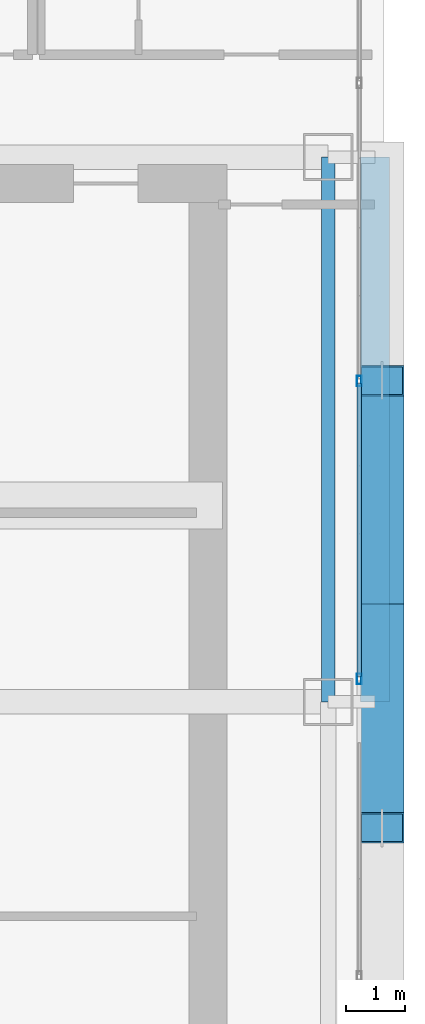
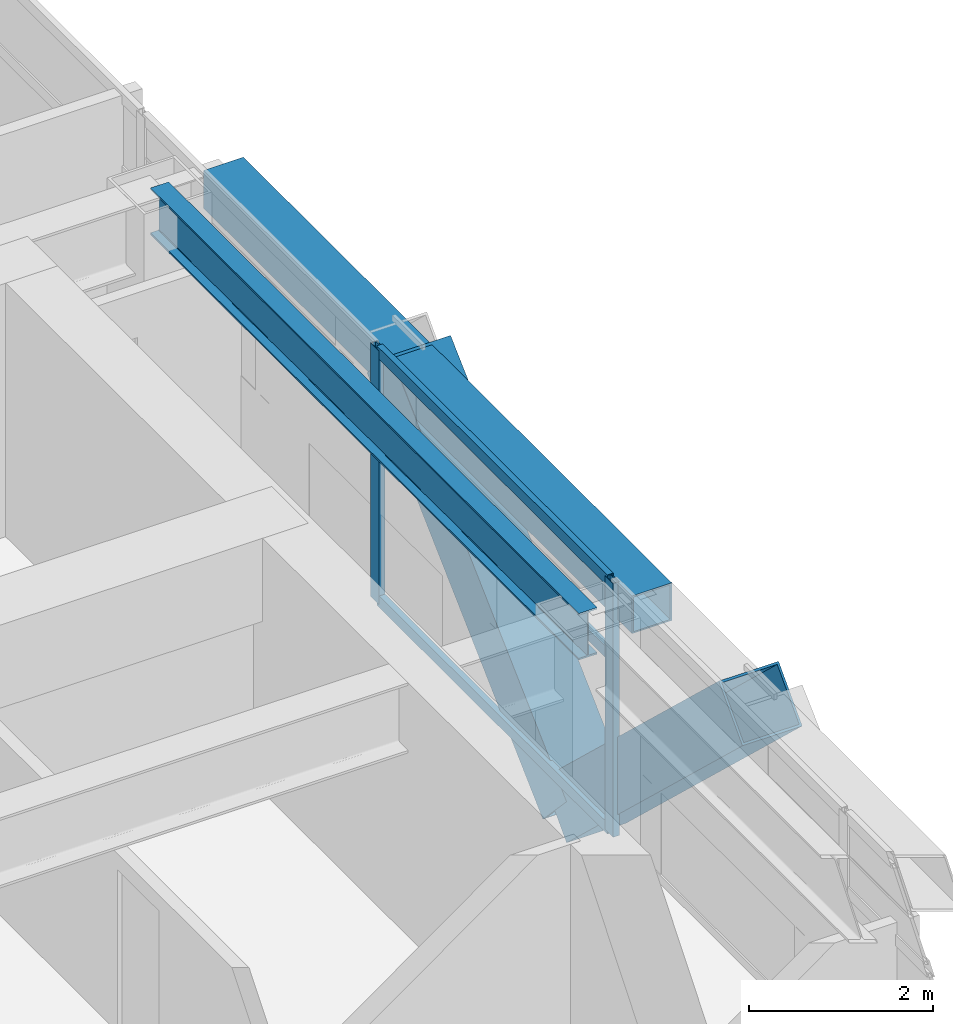
# One storey, part 18 of 39: 7 members, 2 beams, 1 element without a shape of its own.
"""IFC4 building model written with IfcOpenShell, lengths in metres."""

from ifc_helpers import new_model, si_unit, direction, frame, origin, origin_2d, place, context, subcontext, project, spatial, hollow_rectangle, i_section, extrude, source, transform, mapped, material, layer, layer_set, material_profile, profile_set, type_object, element, aggregate, save


model = new_model("IFC4")

# Units and contexts
model_context = context("Model", 3, precision=1e-05, world=origin(), true_north=direction((0.0, 1.0)))
body_context = subcontext(model_context, "Body", "Model", "MODEL_VIEW")
ifc_project = project(units=[si_unit("LENGTHUNIT", "METRE"), si_unit("AREAUNIT", "SQUARE_METRE"), si_unit("VOLUMEUNIT", "CUBIC_METRE"), si_unit("PLANEANGLEUNIT", "RADIAN"), si_unit("MASSUNIT", "GRAM", prefix="KILO")], contexts=[model_context])

# Site, building, storey
site_placement = place(None, origin())
site = spatial("IfcSite", under=ifc_project, at=site_placement, CompositionType="ELEMENT")
building_placement = place(site_placement, origin())
building = spatial("IfcBuilding", under=site, at=building_placement, Name="Ocotamira Hotel", CompositionType="ELEMENT")
storey_placement = place(building_placement, frame((0.0, 0.0, 104.39990234375)))
storey = spatial("IfcBuildingStorey", under=building, at=storey_placement, Name="L25", CompositionType="ELEMENT", Elevation=104.39990234375)

# Beams
ifc_material_1 = material(Name="Steel ASTM A992 Grade 50", Category="steel")
ifc_material_profile_1 = material_profile(ifc_material_1, i_section(OverallWidth=0.22998046875, OverallDepth=0.616943359375, WebThickness=0.01318359375, FlangeThickness=0.022216796875, FilletRadius=0.012939453125, at=origin_2d()), Name="W24X94")
ifc_profile_set_1 = profile_set([ifc_material_profile_1], Name="Steel ASTM A992 Grade 50")
beam_type_1 = type_object("IfcBeamType", Name="BM-PRIM-W24X94", PredefinedType="BEAM", material=ifc_profile_set_1)
shared_shape_1 = source(origin(), body_context, "Body", "SweptSolid", [
    extrude(i_section(OverallWidth=0.22998046875, OverallDepth=0.616943359375, WebThickness=0.01318359375, FlangeThickness=0.022216796875, FilletRadius=0.012939453125, at=origin_2d()), origin(), (0.0, 0.0, 1.0), 9.300048828125),
])
beam_1_placement = place(storey_placement, frame((55.050048828125, 28.14990234375, 3.051513671875), z_axis=(0.0, 1.0, 0.0), x_axis=(-1.0, 0.0, 0.0)))
element("IfcBeam", 1, at=beam_1_placement, inside=storey, type_object=beam_type_1, Name="L25 Beam X55.05 Y28.15-37.45", PredefinedType="BEAM", context=body_context, shape_type="MappedRepresentation", body=[
    mapped(shared_shape_1, transform((0.0, 0.0, 0.0), scale=1.0)),
])
ifc_material_2 = material(Name="Steel ASTM A500 Grade C", Category="steel")
ifc_material_profile_2 = material_profile(ifc_material_2, hollow_rectangle(XDim=0.5, YDim=0.5, WallThickness=0.02001953125, at=origin_2d()), Name="HSS500X500X20")
ifc_profile_set_2 = profile_set([ifc_material_profile_2], Name="Steel ASTM A500 Grade C")
beam_type_2 = type_object("IfcBeamType", Name="BM-SPAN-HSS500", PredefinedType="USERDEFINED", material=ifc_profile_set_2)
shared_shape_2 = source(origin(), body_context, "Body", "SweptSolid", [
    extrude(hollow_rectangle(XDim=0.5, YDim=0.5, WallThickness=0.02001953125, at=origin_2d()), origin(), (0.0, 0.0, 1.0), 9.300048828125),
])
beam_2_placement = place(storey_placement, frame((55.85009765625, 28.14990234375, 3.110107421875), z_axis=(0.0, 1.0, 0.0), x_axis=(-1.0, 0.0, 0.0)))
element("IfcBeam", 2, at=beam_2_placement, inside=storey, type_object=beam_type_2, Name="L25 Edge Spandrel E Y28.15-37.45", ObjectType="SPANDREL", PredefinedType="USERDEFINED", context=body_context, shape_type="MappedRepresentation", body=[
    mapped(shared_shape_2, transform((0.0, 0.0, 0.0), scale=1.0)),
])

# Members
ifc_material_3 = material(Name="Pale-metal coated steel ASTM A913 Grade 65", Category="steel")
ifc_material_profile_3 = material_profile(ifc_material_3, hollow_rectangle(XDim=0.75, YDim=0.75, WallThickness=0.028076171875, at=origin_2d()), Name="BOX750X750X28")
ifc_profile_set_3 = profile_set([ifc_material_profile_3], Name="Pale-metal coated steel ASTM A913 Grade 65")
member_type_1 = type_object("IfcMemberType", Name="MEM-EXO-BOX750", PredefinedType="BRACE", material=ifc_profile_set_3)
shared_shape_3 = source(origin(), body_context, "Body", "SweptSolid", [
    extrude(hollow_rectangle(XDim=0.75, YDim=0.75, WallThickness=0.028076171875, at=origin_2d()), origin(), (0.0, 0.0, 1.0), 5.24658203125),
])
for number, where, z_axis, x_axis, name in (
    (3, (55.969970703125, 29.816650390625, -0.489990234375), (0.0, -0.727442733726, 0.686168397078), (1.0, 0.0, 0.0), "L25 Exoskeleton Diagrid E1.2"),
    (4, (55.969970703125, 29.816650390625, -0.489990234375), (0.0, 0.727442733726, 0.686168397078), (-1.0, 0.0, 0.0), "L25 Exoskeleton Diagrid E2.1"),
):
    element("IfcMember", number, at=place(storey_placement, frame(where, z_axis=z_axis, x_axis=x_axis)), inside=storey, type_object=member_type_1, Name=name, PredefinedType="BRACE", context=body_context, shape_type="MappedRepresentation", body=[
        mapped(shared_shape_3, transform((0.0, 0.0, 0.0), scale=1.0)),
    ])

# Curtain wall, members
ifc_material_4 = material(Name="Anodised pale-metal aluminium and solar glass", Category="aluminium")
ifc_layer = layer(ifc_material_4, 0.179931640625)
ifc_layer_set = layer_set([ifc_layer], Name="Anodised pale-metal aluminium and solar glass")
curtain_wall_type = type_object("IfcCurtainWallType", Name="CW-SYS3-Z2", PredefinedType="NOTDEFINED", material=ifc_layer_set)
curtain_wall_placement = place(storey_placement, origin())
curtain_wall = element("IfcCurtainWall", 5, at=curtain_wall_placement, inside=storey, type_object=curtain_wall_type, Name="L25 Curtain Wall CW-3 CW-L25-E", PredefinedType="NOTDEFINED")
ifc_material_5 = material(Name="Anodised pale-metal aluminium 6063-T6", Category="aluminium")
ifc_material_profile_4 = material_profile(ifc_material_5, hollow_rectangle(XDim=0.074951171875, YDim=0.14990234375, WallThickness=0.006103515625, at=origin_2d()), Name="HSS150X75X6")
ifc_profile_set_4 = profile_set([ifc_material_profile_4], Name="Anodised pale-metal aluminium 6063-T6")
member_type_2 = type_object("IfcMemberType", Name="CWT-150X75", PredefinedType="USERDEFINED", material=ifc_profile_set_4)
shared_shape_4 = source(origin(), body_context, "Body", "SweptSolid", [
    extrude(hollow_rectangle(XDim=0.074951171875, YDim=0.14990234375, WallThickness=0.006103515625, at=origin_2d()), origin(), (0.0, 0.0, 1.0), 5.005859375),
])
member_1_placement = place(storey_placement, frame((55.580078125, 28.582763671875, 0.03759765625), z_axis=(0.0, 1.0, 0.0), x_axis=(-1.0, 0.0, 0.0)))
member_1 = element("IfcMember", 6, at=member_1_placement, type_object=member_type_2, Name="CW-3 transom 5.1", ObjectType="TRANSOM", PredefinedType="USERDEFINED", context=body_context, shape_type="MappedRepresentation", body=[
    mapped(shared_shape_4, transform((0.0, 0.0, 0.0), scale=1.0)),
])
member_2_placement = place(storey_placement, frame((55.580078125, 28.582763671875, 2.35009765625), z_axis=(0.0, 1.0, 0.0), x_axis=(-1.0, 0.0, 0.0)))
member_2 = element("IfcMember", 7, at=member_2_placement, type_object=member_type_2, Name="CW-3 transom 5.2", ObjectType="TRANSOM", PredefinedType="USERDEFINED", context=body_context, shape_type="MappedRepresentation", body=[
    mapped(shared_shape_4, transform((0.0, 0.0, 0.0), scale=1.0)),
])
member_3_placement = place(storey_placement, frame((55.580078125, 28.582763671875, 3.322509765625), z_axis=(0.0, 1.0, 0.0), x_axis=(-1.0, 0.0, 0.0)))
member_3 = element("IfcMember", 8, at=member_3_placement, type_object=member_type_2, Name="CW-3 transom 5.3", ObjectType="TRANSOM", PredefinedType="USERDEFINED", context=body_context, shape_type="MappedRepresentation", body=[
    mapped(shared_shape_4, transform((0.0, 0.0, 0.0), scale=1.0)),
])
ifc_material_profile_5 = material_profile(ifc_material_5, hollow_rectangle(XDim=0.080078125, YDim=0.179931640625, WallThickness=0.006103515625, at=origin_2d()), Name="HSS180X80X6")
ifc_profile_set_5 = profile_set([ifc_material_profile_5], Name="Anodised pale-metal aluminium 6063-T6")
member_type_3 = type_object("IfcMemberType", Name="CWM-180X75", PredefinedType="MULLION", material=ifc_profile_set_5)
shared_shape_5 = source(origin(), body_context, "Body", "SweptSolid", [
    extrude(hollow_rectangle(XDim=0.080078125, YDim=0.179931640625, WallThickness=0.006103515625, at=origin_2d()), origin(), (0.0, 0.0, 1.0), 3.360107421875),
])
member_4_placement = place(storey_placement, frame((55.580078125, 28.54296875, 0.0), z_axis=(0.0, 0.0, 1.0), x_axis=(-1.0, 0.0, 0.0)))
member_4 = element("IfcMember", 9, at=member_4_placement, type_object=member_type_3, Name="CW-3 mullion 5", PredefinedType="MULLION", context=body_context, shape_type="MappedRepresentation", body=[
    mapped(shared_shape_5, transform((0.0, 0.0, 0.0), scale=1.0)),
])
member_5_placement = place(storey_placement, frame((55.580078125, 33.628662109375, 0.0), z_axis=(0.0, 0.0, 1.0), x_axis=(-1.0, 0.0, 0.0)))
member_5 = element("IfcMember", 10, at=member_5_placement, type_object=member_type_3, Name="CW-3 mullion 6", PredefinedType="MULLION", context=body_context, shape_type="MappedRepresentation", body=[
    mapped(shared_shape_5, transform((0.0, 0.0, 0.0), scale=1.0)),
])
aggregate(curtain_wall, [member_4, member_5, member_1, member_2, member_3])

save(model, "model.ifc")
